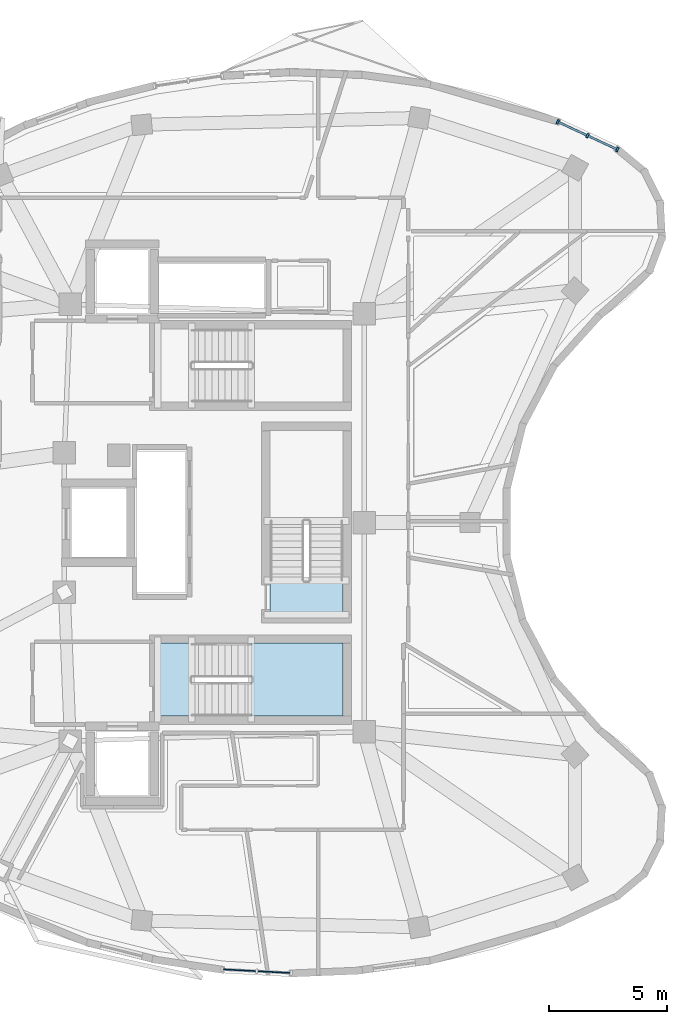
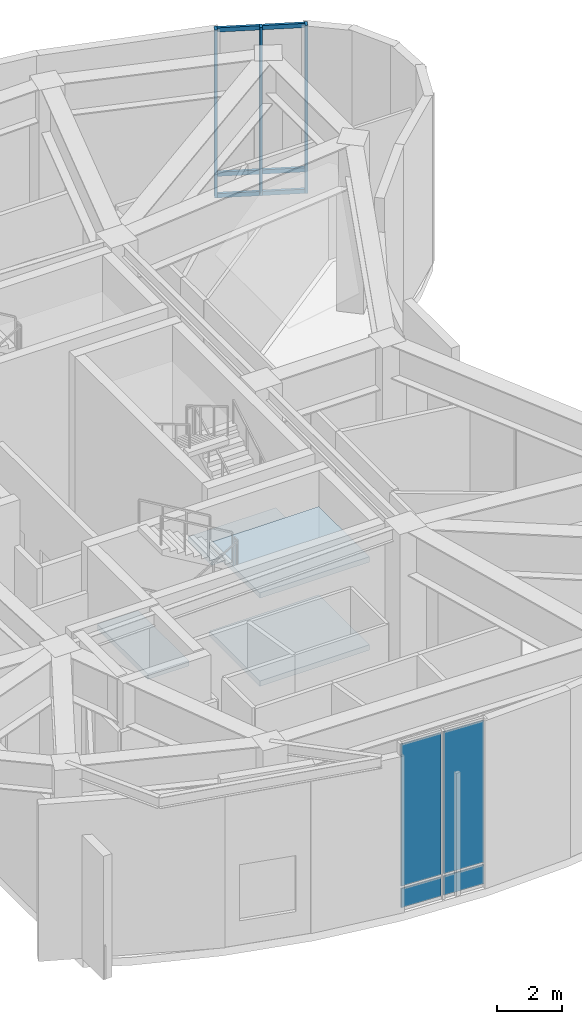
# One storey, part 4 of 12: 9 members, 4 plates, 4 slabs, 4 elements without a shape of their own.
"""IFC4 building model written with IfcOpenShell, lengths in metres."""

from ifc_helpers import new_model, si_unit, direction, frame, origin, origin_2d, place, context, subcontext, project, spatial, polyline, rectangle, outline, extrude, material, layer, layer_set, material_profile, profile_set, type_object, element, aggregate, save


model = new_model("IFC4")

# Units and contexts
model_context = context("Model", 3, precision=1e-05, world=origin(), true_north=direction((0.0, 1.0)))
body_context = subcontext(model_context, "Body", "Model", "MODEL_VIEW")
ifc_project = project(units=[si_unit("LENGTHUNIT", "METRE"), si_unit("AREAUNIT", "SQUARE_METRE"), si_unit("VOLUMEUNIT", "CUBIC_METRE"), si_unit("PLANEANGLEUNIT", "RADIAN"), si_unit("MASSUNIT", "GRAM", prefix="KILO")], contexts=[model_context])

# Site, building, storey
site_placement = place(None, origin())
site = spatial("IfcSite", under=ifc_project, at=site_placement, CompositionType="ELEMENT")
building_placement = place(site_placement, origin())
building = spatial("IfcBuilding", under=site, at=building_placement, Name="Korentha Bioscience Tower", CompositionType="ELEMENT")
storey_placement = place(building_placement, frame((0.0, 0.0, 291.0)))
storey = spatial("IfcBuildingStorey", under=building, at=storey_placement, Name="L67", CompositionType="ELEMENT", Elevation=291.0)

# Curtain wall, members
ifc_material_1 = material(Name="Thermally Broken Aluminium Frame", Category="aluminium")
ifc_layer_1 = layer(ifc_material_1, 0.219970703125, Name="Thermally Broken Aluminium Frame")
ifc_layer_set_1 = layer_set([ifc_layer_1], Name="Thermally Broken Aluminium Frame (CW-T1)")
curtain_wall_type = type_object("IfcCurtainWallType", Name="Standard Bioscience Lab Unitised Curtain Wall CW-T1", PredefinedType="USERDEFINED", material=ifc_layer_set_1)
curtain_wall_1_placement = place(storey_placement, origin())
curtain_wall_1 = element("IfcCurtainWall", 1, at=curtain_wall_1_placement, inside=storey, type_object=curtain_wall_type, Name="L67 Curtain Wall 01", ObjectType="UNITISED", PredefinedType="USERDEFINED")
ifc_material_2 = material(Name="Anodised Aluminium 6063-T6", Category="aluminium")
ifc_material_profile_1 = material_profile(ifc_material_2, rectangle(XDim=0.090087890625, YDim=0.199951171875, at=origin_2d()), Name="Anodised Aluminium 6063-T6")
ifc_profile_set_1 = profile_set([ifc_material_profile_1], Name="Anodised Aluminium 6063-T6 (CW-MUL)")
member_type_1 = type_object("IfcMemberType", Name="Mullion RECT 90x200", PredefinedType="MULLION", material=ifc_profile_set_1)
member_1_placement = place(storey_placement, frame((48.2646484375, 42.802490234375, 0.0), z_axis=(0.0, 0.0, 1.0), x_axis=(-0.907204022278, 0.420690934016, 0.0)))
member_1 = element("IfcMember", 2, at=member_1_placement, type_object=member_type_1, Name="CW-L67-01 Mullion 1", PredefinedType="MULLION", context=body_context, shape_type="SweptSolid", body=[
    extrude(rectangle(XDim=0.090087890625, YDim=0.199951171875, at=origin_2d()), origin(), (0.0, 0.0, 1.0), 6.300048828125),
])
member_2_placement = place(storey_placement, frame((47.002197265625, 43.387939453125, 0.0), z_axis=(0.0, 0.0, 1.0), x_axis=(-0.907204022278, 0.420690934016, 0.0)))
member_2 = element("IfcMember", 3, at=member_2_placement, type_object=member_type_1, Name="CW-L67-01 Mullion 2", PredefinedType="MULLION", context=body_context, shape_type="SweptSolid", body=[
    extrude(rectangle(XDim=0.090087890625, YDim=0.199951171875, at=origin_2d()), origin(), (0.0, 0.0, 1.0), 6.300048828125),
])
member_3_placement = place(storey_placement, frame((45.739990234375, 43.973388671875, 0.0), z_axis=(0.0, 0.0, 1.0), x_axis=(-0.907204022278, 0.420690934016, 0.0)))
member_3 = element("IfcMember", 4, at=member_3_placement, type_object=member_type_1, Name="CW-L67-01 Mullion 3", PredefinedType="MULLION", context=body_context, shape_type="SweptSolid", body=[
    extrude(rectangle(XDim=0.090087890625, YDim=0.199951171875, at=origin_2d()), origin(), (0.0, 0.0, 1.0), 6.300048828125),
])
ifc_material_profile_2 = material_profile(ifc_material_2, rectangle(XDim=0.090087890625, YDim=0.159912109375, at=origin_2d()), Name="Anodised Aluminium 6063-T6")
ifc_profile_set_2 = profile_set([ifc_material_profile_2], Name="Anodised Aluminium 6063-T6 (CW-TRN)")
member_type_2 = type_object("IfcMemberType", Name="Transom RECT 90x160", PredefinedType="USERDEFINED", material=ifc_profile_set_2)
member_4_placement = place(storey_placement, frame((48.223876953125, 42.821533203125, 0.044921875), z_axis=(-0.907172669062, 0.420758539435, 0.0), x_axis=(-0.420758539435, -0.907172669062, 0.0)))
member_4 = element("IfcMember", 5, at=member_4_placement, type_object=member_type_2, Name="CW-L67-01 Bay 1 Transom 1", ObjectType="TRANSOM", PredefinedType="USERDEFINED", context=body_context, shape_type="SweptSolid", body=[
    extrude(rectangle(XDim=0.090087890625, YDim=0.159912109375, at=origin_2d()), origin(), (0.0, 0.0, 1.0), 1.301513671875),
])
member_5_placement = place(storey_placement, frame((48.223876953125, 42.821533203125, 0.85009765625), z_axis=(-0.907172669062, 0.420758539435, 0.0), x_axis=(-0.420758539435, -0.907172669062, 0.0)))
member_5 = element("IfcMember", 6, at=member_5_placement, type_object=member_type_2, Name="CW-L67-01 Bay 1 Transom 2", ObjectType="TRANSOM", PredefinedType="USERDEFINED", context=body_context, shape_type="SweptSolid", body=[
    extrude(rectangle(XDim=0.090087890625, YDim=0.159912109375, at=origin_2d()), origin(), (0.0, 0.0, 1.0), 1.301513671875),
])
member_6_placement = place(storey_placement, frame((48.223876953125, 42.821533203125, 6.2548828125), z_axis=(-0.907172669062, 0.420758539435, 0.0), x_axis=(-0.420758539435, -0.907172669062, 0.0)))
member_6 = element("IfcMember", 7, at=member_6_placement, type_object=member_type_2, Name="CW-L67-01 Bay 1 Transom 3", ObjectType="TRANSOM", PredefinedType="USERDEFINED", context=body_context, shape_type="SweptSolid", body=[
    extrude(rectangle(XDim=0.090087890625, YDim=0.159912109375, at=origin_2d()), origin(), (0.0, 0.0, 1.0), 1.301513671875),
])
member_7_placement = place(storey_placement, frame((46.96142578125, 43.406982421875, 0.044921875), z_axis=(-0.907244263807, 0.420604143808, 0.0), x_axis=(-0.420604143808, -0.907244263807, 0.0)))
member_7 = element("IfcMember", 8, at=member_7_placement, type_object=member_type_2, Name="CW-L67-01 Bay 2 Transom 1", ObjectType="TRANSOM", PredefinedType="USERDEFINED", context=body_context, shape_type="SweptSolid", body=[
    extrude(rectangle(XDim=0.090087890625, YDim=0.159912109375, at=origin_2d()), origin(), (0.0, 0.0, 1.0), 1.30126953125),
])
member_8_placement = place(storey_placement, frame((46.96142578125, 43.406982421875, 0.85009765625), z_axis=(-0.907244263807, 0.420604143808, 0.0), x_axis=(-0.420604143808, -0.907244263807, 0.0)))
member_8 = element("IfcMember", 9, at=member_8_placement, type_object=member_type_2, Name="CW-L67-01 Bay 2 Transom 2", ObjectType="TRANSOM", PredefinedType="USERDEFINED", context=body_context, shape_type="SweptSolid", body=[
    extrude(rectangle(XDim=0.090087890625, YDim=0.159912109375, at=origin_2d()), origin(), (0.0, 0.0, 1.0), 1.30126953125),
])
member_9_placement = place(storey_placement, frame((46.96142578125, 43.406982421875, 6.2548828125), z_axis=(-0.907244263807, 0.420604143808, 0.0), x_axis=(-0.420604143808, -0.907244263807, 0.0)))
member_9 = element("IfcMember", 10, at=member_9_placement, type_object=member_type_2, Name="CW-L67-01 Bay 2 Transom 3", ObjectType="TRANSOM", PredefinedType="USERDEFINED", context=body_context, shape_type="SweptSolid", body=[
    extrude(rectangle(XDim=0.090087890625, YDim=0.159912109375, at=origin_2d()), origin(), (0.0, 0.0, 1.0), 1.30126953125),
])
aggregate(curtain_wall_1, [member_1, member_2, member_3, member_4, member_5, member_6, member_7, member_8, member_9])

# Curtain wall, plates
curtain_wall_2_placement = place(storey_placement, origin())
curtain_wall_2 = element("IfcCurtainWall", 11, at=curtain_wall_2_placement, inside=storey, type_object=curtain_wall_type, Name="L67 Curtain Wall 31", ObjectType="UNITISED", PredefinedType="USERDEFINED")
ifc_material_3 = material(Name="Triple-Glazed Low-E Insulated Glass", Category="glass")
ifc_layer_2 = layer(ifc_material_3, 0.0439453125, Name="Triple-Glazed Low-E Insulated Glass")
ifc_layer_set_2 = layer_set([ifc_layer_2], Name="Triple-Glazed Low-E Insulated Glass (GL-44)")
plate_type = type_object("IfcPlateType", Name="Glazed Panel 44mm", PredefinedType="CURTAIN_PANEL", material=ifc_layer_set_2)
plate_1_placement = place(storey_placement, frame((32.263427734375, 8.043701171875, 0.08984375), z_axis=(0.0, 0.0, 1.0), x_axis=(0.998579324855, -0.053285382345, 0.0)))
plate_1 = element("IfcPlate", 12, at=plate_1_placement, type_object=plate_type, Name="CW-L67-31 Bay 1 Glazed Panel 1", PredefinedType="CURTAIN_PANEL", context=body_context, shape_type="SweptSolid", body=[
    extrude(rectangle(XDim=1.374755859375, YDim=0.0439453125, at=origin_2d()), origin(), (0.0, 0.0, 1.0), 0.715087890625),
])
plate_2_placement = place(storey_placement, frame((32.263427734375, 8.043701171875, 0.89501953125), z_axis=(0.0, 0.0, 1.0), x_axis=(0.998579324855, -0.053285382345, 0.0)))
plate_2 = element("IfcPlate", 13, at=plate_2_placement, type_object=plate_type, Name="CW-L67-31 Bay 1 Glazed Panel 2", PredefinedType="CURTAIN_PANEL", context=body_context, shape_type="SweptSolid", body=[
    extrude(rectangle(XDim=1.374755859375, YDim=0.0439453125, at=origin_2d()), origin(), (0.0, 0.0, 1.0), 5.31494140625),
])
plate_3_placement = place(storey_placement, frame((33.726318359375, 7.9658203125, 0.08984375), z_axis=(0.0, 0.0, 1.0), x_axis=(0.998579324855, -0.053285382345, 0.0)))
plate_3 = element("IfcPlate", 14, at=plate_3_placement, type_object=plate_type, Name="CW-L67-31 Bay 2 Glazed Panel 1", PredefinedType="CURTAIN_PANEL", context=body_context, shape_type="SweptSolid", body=[
    extrude(rectangle(XDim=1.374755859375, YDim=0.0439453125, at=origin_2d()), origin(), (0.0, 0.0, 1.0), 0.715087890625),
])
plate_4_placement = place(storey_placement, frame((33.726318359375, 7.9658203125, 0.89501953125), z_axis=(0.0, 0.0, 1.0), x_axis=(0.998579324855, -0.053285382345, 0.0)))
plate_4 = element("IfcPlate", 15, at=plate_4_placement, type_object=plate_type, Name="CW-L67-31 Bay 2 Glazed Panel 2", PredefinedType="CURTAIN_PANEL", context=body_context, shape_type="SweptSolid", body=[
    extrude(rectangle(XDim=1.374755859375, YDim=0.0439453125, at=origin_2d()), origin(), (0.0, 0.0, 1.0), 5.31494140625),
])
aggregate(curtain_wall_2, [plate_1, plate_2, plate_3, plate_4])

# Stair, slabs
ifc_material_4 = material(Name="Precast Concrete C50", Category="concrete")
stair_type = type_object("IfcStairType", Name="Core Exit Dog-Leg Stair 1450", PredefinedType="HALF_TURN_STAIR", material=ifc_material_4)
stair_1_placement = place(storey_placement, origin())
stair_1 = element("IfcStair", 16, at=stair_1_placement, inside=storey, type_object=stair_type, Name="L67 Tower South Pressurized Exit Stair ST-2", PredefinedType="HALF_TURN_STAIR")
ifc_material_5 = material(Name="Concrete C50", Category="concrete")
ifc_layer_3 = layer(ifc_material_5, 0.199951171875, Name="Concrete C50")
ifc_layer_set_3 = layer_set([ifc_layer_3], Name="Concrete C50 (SL-LND)")
slab_type = type_object("IfcSlabType", Name="Landing Slab 200", PredefinedType="LANDING", material=ifc_layer_set_3)
slab_1_placement = place(storey_placement, frame((0.0, 0.0, 1.449951171875)))
slab_1 = element("IfcSlab", 17, at=slab_1_placement, type_object=slab_type, Name="ST-2 landing 1", PredefinedType="LANDING", context=body_context, shape_type="SweptSolid", body=[
    extrude(outline(polyline([(32.77001953125, 18.800048828125), (36.64990234375, 18.800048828125), (36.64990234375, 21.89990234375), (32.77001953125, 21.89990234375), (32.77001953125, 18.800048828125)])), origin(), (0.0, 0.0, 1.0), 0.199951171875),
])
slab_2_placement = place(storey_placement, frame((0.0, 0.0, 3.10009765625)))
slab_2 = element("IfcSlab", 18, at=slab_2_placement, type_object=slab_type, Name="ST-2 landing 2", PredefinedType="LANDING", context=body_context, shape_type="SweptSolid", body=[
    extrude(outline(polyline([(28.800048828125, 18.800048828125), (30.25, 18.800048828125), (30.25, 21.89990234375), (28.800048828125, 21.89990234375), (28.800048828125, 18.800048828125)])), origin(), (0.0, 0.0, 1.0), 0.199951171875),
])
slab_3_placement = place(storey_placement, frame((0.0, 0.0, 4.75)))
slab_3 = element("IfcSlab", 19, at=slab_3_placement, type_object=slab_type, Name="ST-2 landing 3", PredefinedType="LANDING", context=body_context, shape_type="SweptSolid", body=[
    extrude(outline(polyline([(32.77001953125, 18.800048828125), (36.64990234375, 18.800048828125), (36.64990234375, 21.89990234375), (32.77001953125, 21.89990234375), (32.77001953125, 18.800048828125)])), origin(), (0.0, 0.0, 1.0), 0.199951171875),
])
aggregate(stair_1, [slab_1, slab_2, slab_3])

# Stair, slab
stair_2_placement = place(storey_placement, origin())
stair_2 = element("IfcStair", 20, at=stair_2_placement, inside=storey, type_object=stair_type, Name="L67 Tower Central Pressurized Exit Stair ST-3", PredefinedType="HALF_TURN_STAIR")
slab_4_placement = place(storey_placement, frame((0.0, 0.0, 3.10009765625)))
slab_4 = element("IfcSlab", 21, at=slab_4_placement, type_object=slab_type, Name="ST-3 landing 2", PredefinedType="LANDING", context=body_context, shape_type="SweptSolid", body=[
    extrude(outline(polyline([(36.64990234375, 23.10009765625), (36.64990234375, 24.550048828125), (33.550048828125, 24.550048828125), (33.550048828125, 23.10009765625), (36.64990234375, 23.10009765625)])), origin(), (0.0, 0.0, 1.0), 0.199951171875),
])
aggregate(stair_2, [slab_4])

save(model, "model.ifc")
